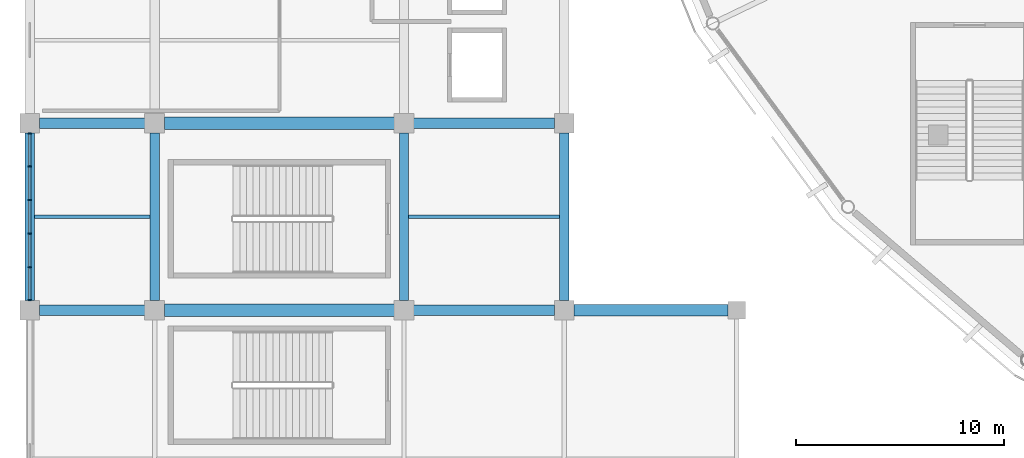
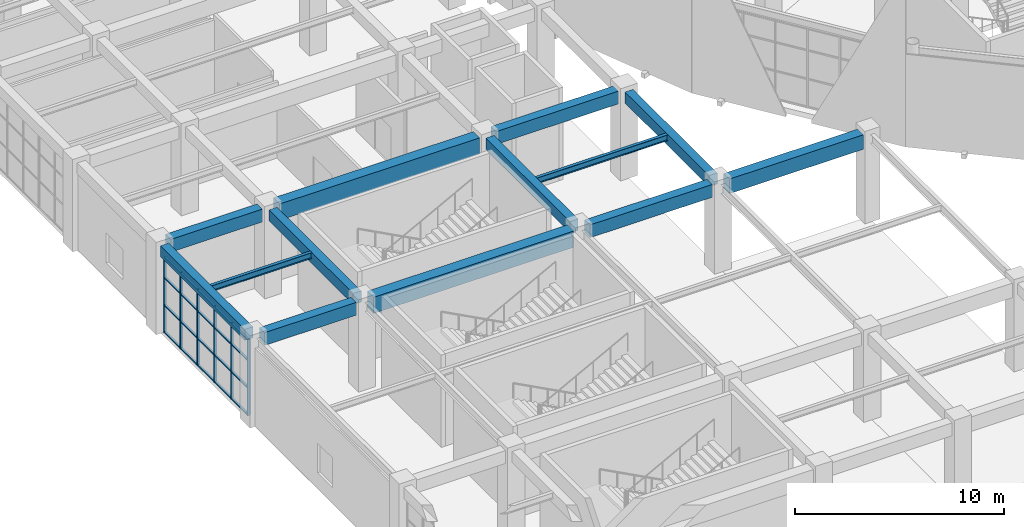
# One storey, part 17 of 120: 26 members, 13 beams, 1 element without a shape of its own.
"""IFC4 building model written with IfcOpenShell, lengths in metres."""

from ifc_helpers import new_model, si_unit, direction, frame, origin, origin_2d, place, context, subcontext, project, spatial, rectangle, i_section, extrude, material, material_profile, profile_set, type_object, element, aggregate, save


model = new_model("IFC4")

# Units and contexts
model_context = context("Model", 3, precision=1e-05, world=origin(), true_north=direction((0.0, 1.0)))
body_context = subcontext(model_context, "Body", "Model", "MODEL_VIEW")
ifc_project = project(units=[si_unit("LENGTHUNIT", "METRE"), si_unit("AREAUNIT", "SQUARE_METRE"), si_unit("VOLUMEUNIT", "CUBIC_METRE"), si_unit("PLANEANGLEUNIT", "RADIAN"), si_unit("MASSUNIT", "GRAM", prefix="KILO")], contexts=[model_context])

# Site, building, storey
site_placement = place(None, origin())
site = spatial("IfcSite", under=ifc_project, at=site_placement, CompositionType="ELEMENT")
building_placement = place(site_placement, origin())
building = spatial("IfcBuilding", under=site, at=building_placement, Name="Cuetzalor Civic Arena", CompositionType="ELEMENT")
storey_placement = place(building_placement, frame((0.0, 0.0, 6.0)))
storey = spatial("IfcBuildingStorey", under=building, at=storey_placement, Name="L01", CompositionType="ELEMENT", Elevation=6.0)

# Beams
ifc_material_1 = material(Name="Concrete C40/50", Category="concrete")
ifc_material_profile_1 = material_profile(ifc_material_1, rectangle(XDim=0.5, YDim=0.75, at=origin_2d()), Name="RC 500x750")
ifc_profile_set_1 = profile_set([ifc_material_profile_1], Name="Concrete C40/50")
beam_type_1 = type_object("IfcBeamType", Name="ConcreteFrameBeam_500x750", PredefinedType="BEAM", material=ifc_profile_set_1)
beam_1_placement = place(storey_placement, frame((-81.534912109375, -34.0, 4.7451171875), z_axis=(1.0, 0.0, 0.0), x_axis=(0.0, 1.0, 0.0)))
element("IfcBeam", 1, at=beam_1_placement, inside=storey, type_object=beam_type_1, Name="Frame Girder V4W-L01-X0353", PredefinedType="BEAM", context=body_context, shape_type="SweptSolid", body=[
    extrude(rectangle(XDim=0.5, YDim=0.75, at=origin_2d()), origin(), (0.0, 0.0, 1.0), 5.06982421875),
])
beam_2_placement = place(storey_placement, frame((-63.534912109375, -34.0, 4.7451171875), z_axis=(1.0, 0.0, 0.0), x_axis=(0.0, 1.0, 0.0)))
element("IfcBeam", 2, at=beam_2_placement, inside=storey, type_object=beam_type_1, Name="Frame Girder V4W-L01-X0355", PredefinedType="BEAM", context=body_context, shape_type="SweptSolid", body=[
    extrude(rectangle(XDim=0.5, YDim=0.75, at=origin_2d()), origin(), (0.0, 0.0, 1.0), 6.77001953125),
])
beam_3_placement = place(storey_placement, frame((-81.534912109375, -25.0, 4.7451171875), z_axis=(1.0, 0.0, 0.0), x_axis=(0.0, 1.0, 0.0)))
element("IfcBeam", 3, at=beam_3_placement, inside=storey, type_object=beam_type_1, Name="Frame Girder V4W-L01-X0357", PredefinedType="BEAM", context=body_context, shape_type="SweptSolid", body=[
    extrude(rectangle(XDim=0.5, YDim=0.75, at=origin_2d()), origin(), (0.0, 0.0, 1.0), 5.06982421875),
])
beam_4_placement = place(storey_placement, frame((-63.534912109375, -25.0, 4.7451171875), z_axis=(1.0, 0.0, 0.0), x_axis=(0.0, 1.0, 0.0)))
element("IfcBeam", 4, at=beam_4_placement, inside=storey, type_object=beam_type_1, Name="Frame Girder V4W-L01-X0359", PredefinedType="BEAM", context=body_context, shape_type="SweptSolid", body=[
    extrude(rectangle(XDim=0.5, YDim=0.75, at=origin_2d()), origin(), (0.0, 0.0, 1.0), 6.77001953125),
])
ifc_material_2 = material(Name="Concrete C40/50", Category="concrete")
ifc_material_profile_2 = material_profile(ifc_material_2, rectangle(XDim=0.550048828125, YDim=0.85009765625, at=origin_2d()), Name="RC 550x850")
ifc_profile_set_2 = profile_set([ifc_material_profile_2], Name="Concrete C40/50")
beam_type_2 = type_object("IfcBeamType", Name="ConcreteFrameBeam_550x850", PredefinedType="BEAM", material=ifc_profile_set_2)
beam_5_placement = place(storey_placement, frame((-55.8349609375, -34.0, 4.695068359375), z_axis=(1.0, 0.0, 0.0), x_axis=(0.0, 1.0, 0.0)))
element("IfcBeam", 5, at=beam_5_placement, inside=storey, type_object=beam_type_2, Name="Frame Girder V4W-L01-X0356", PredefinedType="BEAM", context=body_context, shape_type="SweptSolid", body=[
    extrude(rectangle(XDim=0.550048828125, YDim=0.85009765625, at=origin_2d()), origin(), (0.0, 0.0, 1.0), 7.419921875),
])
ifc_material_3 = material(Name="Concrete C40/50", Category="concrete")
ifc_material_profile_3 = material_profile(ifc_material_3, rectangle(XDim=0.60009765625, YDim=0.949951171875, at=origin_2d()), Name="RC 600x950")
ifc_profile_set_3 = profile_set([ifc_material_profile_3], Name="Concrete C40/50")
beam_type_3 = type_object("IfcBeamType", Name="ConcreteFrameBeam_600x950", PredefinedType="BEAM", material=ifc_profile_set_3)
for number, where, z_axis, x_axis, name in (
    (6, (-75.534912109375, -34.0, 4.64501953125), (1.0, 0.0, 0.0), (0.0, 1.0, 0.0), "Frame Girder V4W-L01-X0354"),
    (7, (-75.534912109375, -25.0, 4.64501953125), (1.0, 0.0, 0.0), (0.0, 1.0, 0.0), "Frame Girder V4W-L01-X0358"),
):
    element("IfcBeam", number, at=place(storey_placement, frame(where, z_axis=z_axis, x_axis=x_axis)), inside=storey, type_object=beam_type_3, Name=name, PredefinedType="BEAM", context=body_context, shape_type="SweptSolid", body=[
        extrude(rectangle(XDim=0.60009765625, YDim=0.949951171875, at=origin_2d()), origin(), (0.0, 0.0, 1.0), 11.06982421875),
    ])
ifc_material_4 = material(Name="Concrete C40/50", Category="concrete")
ifc_material_profile_4 = material_profile(ifc_material_4, rectangle(XDim=0.449951171875, YDim=0.64990234375, at=origin_2d()), Name="RC 450x650")
ifc_profile_set_4 = profile_set([ifc_material_profile_4], Name="Concrete C40/50")
beam_type_4 = type_object("IfcBeamType", Name="ConcreteTieBeam_450x650", PredefinedType="BEAM", material=ifc_profile_set_4)
for number, where, z_axis, x_axis, name in (
    (8, (-82.0, -33.534912109375, 4.794921875), (0.0, 1.0, 0.0), (-1.0, 0.0, 0.0), "Frame Girder V4W-L01-Y0383"),
    (9, (-76.0, -33.534912109375, 4.794921875), (0.0, 1.0, 0.0), (-1.0, 0.0, 0.0), "Frame Girder V4W-L01-Y0393"),
    (10, (-64.0, -33.534912109375, 4.794921875), (0.0, 1.0, 0.0), (-1.0, 0.0, 0.0), "Frame Girder V4W-L01-Y0403"),
    (11, (-56.300048828125, -33.534912109375, 4.794921875), (0.0, 1.0, 0.0), (-1.0, 0.0, 0.0), "Frame Girder V4W-L01-Y0413"),
):
    element("IfcBeam", number, at=place(storey_placement, frame(where, z_axis=z_axis, x_axis=x_axis)), inside=storey, type_object=beam_type_4, Name=name, PredefinedType="BEAM", context=body_context, shape_type="SweptSolid", body=[
        extrude(rectangle(XDim=0.449951171875, YDim=0.64990234375, at=origin_2d()), origin(), (0.0, 0.0, 1.0), 8.06982421875),
    ])

# Curtain wall, members
ifc_material_5 = material(Name="Anodised dark bronze aluminium and low-E solar glass", Category="aluminium")
curtain_wall_type = type_object("IfcCurtainWallType", Name="UnitisedCW_8100x4450", PredefinedType="USERDEFINED", material=ifc_material_5)
curtain_wall_placement = place(storey_placement, origin())
curtain_wall = element("IfcCurtainWall", 12, at=curtain_wall_placement, inside=storey, type_object=curtain_wall_type, Name="V4W Suite Viewing Curtain Wall L01-109", ObjectType="UNITISED CURTAIN WALL", PredefinedType="USERDEFINED")
ifc_material_6 = material(Name="Anodised dark bronze aluminium", Category="aluminium")
ifc_material_profile_5 = material_profile(ifc_material_6, rectangle(XDim=0.06494140625, YDim=0.14990234375, at=origin_2d()), Name="ALU MULLION 65x150")
ifc_profile_set_5 = profile_set([ifc_material_profile_5], Name="Anodised dark bronze aluminium")
member_type_1 = type_object("IfcMemberType", Name="CurtainWallMullion_60x150", PredefinedType="MULLION", material=ifc_profile_set_5)
member_1_placement = place(storey_placement, frame((-82.0, -33.510498046875, 0.0), z_axis=(0.0, 0.0, 1.0), x_axis=(0.0, 1.0, 0.0)))
member_1 = element("IfcMember", 13, at=member_1_placement, type_object=member_type_1, Name="CW-37 mullion 1", PredefinedType="MULLION", context=body_context, shape_type="SweptSolid", body=[
    extrude(rectangle(XDim=0.06494140625, YDim=0.14990234375, at=origin_2d()), origin(), (0.0, 0.0, 1.0), 4.4599609375),
])
member_2_placement = place(storey_placement, frame((-82.0, -31.92578125, 0.0), z_axis=(0.0, 0.0, 1.0), x_axis=(0.0, 1.0, 0.0)))
member_2 = element("IfcMember", 14, at=member_2_placement, type_object=member_type_1, Name="CW-37 mullion 2", PredefinedType="MULLION", context=body_context, shape_type="SweptSolid", body=[
    extrude(rectangle(XDim=0.06494140625, YDim=0.14990234375, at=origin_2d()), origin(), (0.0, 0.0, 1.0), 4.4599609375),
])
member_3_placement = place(storey_placement, frame((-82.0, -30.30859375, 0.0), z_axis=(0.0, 0.0, 1.0), x_axis=(0.0, 1.0, 0.0)))
member_3 = element("IfcMember", 15, at=member_3_placement, type_object=member_type_1, Name="CW-37 mullion 3", PredefinedType="MULLION", context=body_context, shape_type="SweptSolid", body=[
    extrude(rectangle(XDim=0.06494140625, YDim=0.14990234375, at=origin_2d()), origin(), (0.0, 0.0, 1.0), 4.4599609375),
])
member_4_placement = place(storey_placement, frame((-82.0, -28.69140625, 0.0), z_axis=(0.0, 0.0, 1.0), x_axis=(0.0, 1.0, 0.0)))
member_4 = element("IfcMember", 16, at=member_4_placement, type_object=member_type_1, Name="CW-37 mullion 4", PredefinedType="MULLION", context=body_context, shape_type="SweptSolid", body=[
    extrude(rectangle(XDim=0.06494140625, YDim=0.14990234375, at=origin_2d()), origin(), (0.0, 0.0, 1.0), 4.4599609375),
])
member_5_placement = place(storey_placement, frame((-82.0, -27.07421875, 0.0), z_axis=(0.0, 0.0, 1.0), x_axis=(0.0, 1.0, 0.0)))
member_5 = element("IfcMember", 17, at=member_5_placement, type_object=member_type_1, Name="CW-37 mullion 5", PredefinedType="MULLION", context=body_context, shape_type="SweptSolid", body=[
    extrude(rectangle(XDim=0.06494140625, YDim=0.14990234375, at=origin_2d()), origin(), (0.0, 0.0, 1.0), 4.4599609375),
])
member_6_placement = place(storey_placement, frame((-82.0, -25.489501953125, 0.0), z_axis=(0.0, 0.0, 1.0), x_axis=(0.0, 1.0, 0.0)))
member_6 = element("IfcMember", 18, at=member_6_placement, type_object=member_type_1, Name="CW-37 mullion 6", PredefinedType="MULLION", context=body_context, shape_type="SweptSolid", body=[
    extrude(rectangle(XDim=0.06494140625, YDim=0.14990234375, at=origin_2d()), origin(), (0.0, 0.0, 1.0), 4.4599609375),
])
ifc_material_7 = material(Name="Anodised dark bronze aluminium", Category="aluminium")
ifc_material_profile_6 = material_profile(ifc_material_7, rectangle(XDim=0.1201171875, YDim=0.06494140625, at=origin_2d()), Name="ALU TRANSOM 65x120")
ifc_profile_set_6 = profile_set([ifc_material_profile_6], Name="Anodised dark bronze aluminium")
member_type_2 = type_object("IfcMemberType", Name="CurtainWallTransom_60x120", PredefinedType="USERDEFINED", material=ifc_profile_set_6)
member_7_placement = place(storey_placement, frame((-82.0, -33.47802734375, 0.032470703125), z_axis=(0.0, 1.0, 0.0), x_axis=(-1.0, 0.0, 0.0)))
member_7 = element("IfcMember", 19, at=member_7_placement, type_object=member_type_2, Name="CW-37 transom 1.1", ObjectType="TRANSOM", PredefinedType="USERDEFINED", context=body_context, shape_type="SweptSolid", body=[
    extrude(rectangle(XDim=0.1201171875, YDim=0.06494140625, at=origin_2d()), origin(), (0.0, 0.0, 1.0), 1.519775390625),
])
member_8_placement = place(storey_placement, frame((-82.0, -33.47802734375, 1.60595703125), z_axis=(0.0, 1.0, 0.0), x_axis=(-1.0, 0.0, 0.0)))
member_8 = element("IfcMember", 20, at=member_8_placement, type_object=member_type_2, Name="CW-37 transom 1.2", ObjectType="TRANSOM", PredefinedType="USERDEFINED", context=body_context, shape_type="SweptSolid", body=[
    extrude(rectangle(XDim=0.1201171875, YDim=0.06494140625, at=origin_2d()), origin(), (0.0, 0.0, 1.0), 1.519775390625),
])
member_9_placement = place(storey_placement, frame((-82.0, -33.47802734375, 3.2109375), z_axis=(0.0, 1.0, 0.0), x_axis=(-1.0, 0.0, 0.0)))
member_9 = element("IfcMember", 21, at=member_9_placement, type_object=member_type_2, Name="CW-37 transom 1.3", ObjectType="TRANSOM", PredefinedType="USERDEFINED", context=body_context, shape_type="SweptSolid", body=[
    extrude(rectangle(XDim=0.1201171875, YDim=0.06494140625, at=origin_2d()), origin(), (0.0, 0.0, 1.0), 1.519775390625),
])
member_10_placement = place(storey_placement, frame((-82.0, -33.47802734375, 4.427490234375), z_axis=(0.0, 1.0, 0.0), x_axis=(-1.0, 0.0, 0.0)))
member_10 = element("IfcMember", 22, at=member_10_placement, type_object=member_type_2, Name="CW-37 transom 1.4", ObjectType="TRANSOM", PredefinedType="USERDEFINED", context=body_context, shape_type="SweptSolid", body=[
    extrude(rectangle(XDim=0.1201171875, YDim=0.06494140625, at=origin_2d()), origin(), (0.0, 0.0, 1.0), 1.519775390625),
])
member_11_placement = place(storey_placement, frame((-82.0, -31.893310546875, 0.032470703125), z_axis=(0.0, 1.0, 0.0), x_axis=(-1.0, 0.0, 0.0)))
member_11 = element("IfcMember", 23, at=member_11_placement, type_object=member_type_2, Name="CW-37 transom 2.1", ObjectType="TRANSOM", PredefinedType="USERDEFINED", context=body_context, shape_type="SweptSolid", body=[
    extrude(rectangle(XDim=0.1201171875, YDim=0.06494140625, at=origin_2d()), origin(), (0.0, 0.0, 1.0), 1.55224609375),
])
member_12_placement = place(storey_placement, frame((-82.0, -31.893310546875, 1.60595703125), z_axis=(0.0, 1.0, 0.0), x_axis=(-1.0, 0.0, 0.0)))
member_12 = element("IfcMember", 24, at=member_12_placement, type_object=member_type_2, Name="CW-37 transom 2.2", ObjectType="TRANSOM", PredefinedType="USERDEFINED", context=body_context, shape_type="SweptSolid", body=[
    extrude(rectangle(XDim=0.1201171875, YDim=0.06494140625, at=origin_2d()), origin(), (0.0, 0.0, 1.0), 1.55224609375),
])
member_13_placement = place(storey_placement, frame((-82.0, -31.893310546875, 3.2109375), z_axis=(0.0, 1.0, 0.0), x_axis=(-1.0, 0.0, 0.0)))
member_13 = element("IfcMember", 25, at=member_13_placement, type_object=member_type_2, Name="CW-37 transom 2.3", ObjectType="TRANSOM", PredefinedType="USERDEFINED", context=body_context, shape_type="SweptSolid", body=[
    extrude(rectangle(XDim=0.1201171875, YDim=0.06494140625, at=origin_2d()), origin(), (0.0, 0.0, 1.0), 1.55224609375),
])
member_14_placement = place(storey_placement, frame((-82.0, -31.893310546875, 4.427490234375), z_axis=(0.0, 1.0, 0.0), x_axis=(-1.0, 0.0, 0.0)))
member_14 = element("IfcMember", 26, at=member_14_placement, type_object=member_type_2, Name="CW-37 transom 2.4", ObjectType="TRANSOM", PredefinedType="USERDEFINED", context=body_context, shape_type="SweptSolid", body=[
    extrude(rectangle(XDim=0.1201171875, YDim=0.06494140625, at=origin_2d()), origin(), (0.0, 0.0, 1.0), 1.55224609375),
])
member_15_placement = place(storey_placement, frame((-82.0, -30.276123046875, 0.032470703125), z_axis=(0.0, 1.0, 0.0), x_axis=(-1.0, 0.0, 0.0)))
member_15 = element("IfcMember", 27, at=member_15_placement, type_object=member_type_2, Name="CW-37 transom 3.1", ObjectType="TRANSOM", PredefinedType="USERDEFINED", context=body_context, shape_type="SweptSolid", body=[
    extrude(rectangle(XDim=0.1201171875, YDim=0.06494140625, at=origin_2d()), origin(), (0.0, 0.0, 1.0), 1.55224609375),
])
member_16_placement = place(storey_placement, frame((-82.0, -30.276123046875, 1.60595703125), z_axis=(0.0, 1.0, 0.0), x_axis=(-1.0, 0.0, 0.0)))
member_16 = element("IfcMember", 28, at=member_16_placement, type_object=member_type_2, Name="CW-37 transom 3.2", ObjectType="TRANSOM", PredefinedType="USERDEFINED", context=body_context, shape_type="SweptSolid", body=[
    extrude(rectangle(XDim=0.1201171875, YDim=0.06494140625, at=origin_2d()), origin(), (0.0, 0.0, 1.0), 1.55224609375),
])
member_17_placement = place(storey_placement, frame((-82.0, -30.276123046875, 3.2109375), z_axis=(0.0, 1.0, 0.0), x_axis=(-1.0, 0.0, 0.0)))
member_17 = element("IfcMember", 29, at=member_17_placement, type_object=member_type_2, Name="CW-37 transom 3.3", ObjectType="TRANSOM", PredefinedType="USERDEFINED", context=body_context, shape_type="SweptSolid", body=[
    extrude(rectangle(XDim=0.1201171875, YDim=0.06494140625, at=origin_2d()), origin(), (0.0, 0.0, 1.0), 1.55224609375),
])
member_18_placement = place(storey_placement, frame((-82.0, -30.276123046875, 4.427490234375), z_axis=(0.0, 1.0, 0.0), x_axis=(-1.0, 0.0, 0.0)))
member_18 = element("IfcMember", 30, at=member_18_placement, type_object=member_type_2, Name="CW-37 transom 3.4", ObjectType="TRANSOM", PredefinedType="USERDEFINED", context=body_context, shape_type="SweptSolid", body=[
    extrude(rectangle(XDim=0.1201171875, YDim=0.06494140625, at=origin_2d()), origin(), (0.0, 0.0, 1.0), 1.55224609375),
])
member_19_placement = place(storey_placement, frame((-82.0, -28.658935546875, 0.032470703125), z_axis=(0.0, 1.0, 0.0), x_axis=(-1.0, 0.0, 0.0)))
member_19 = element("IfcMember", 31, at=member_19_placement, type_object=member_type_2, Name="CW-37 transom 4.1", ObjectType="TRANSOM", PredefinedType="USERDEFINED", context=body_context, shape_type="SweptSolid", body=[
    extrude(rectangle(XDim=0.1201171875, YDim=0.06494140625, at=origin_2d()), origin(), (0.0, 0.0, 1.0), 1.55224609375),
])
member_20_placement = place(storey_placement, frame((-82.0, -28.658935546875, 1.60595703125), z_axis=(0.0, 1.0, 0.0), x_axis=(-1.0, 0.0, 0.0)))
member_20 = element("IfcMember", 32, at=member_20_placement, type_object=member_type_2, Name="CW-37 transom 4.2", ObjectType="TRANSOM", PredefinedType="USERDEFINED", context=body_context, shape_type="SweptSolid", body=[
    extrude(rectangle(XDim=0.1201171875, YDim=0.06494140625, at=origin_2d()), origin(), (0.0, 0.0, 1.0), 1.55224609375),
])
member_21_placement = place(storey_placement, frame((-82.0, -28.658935546875, 3.2109375), z_axis=(0.0, 1.0, 0.0), x_axis=(-1.0, 0.0, 0.0)))
member_21 = element("IfcMember", 33, at=member_21_placement, type_object=member_type_2, Name="CW-37 transom 4.3", ObjectType="TRANSOM", PredefinedType="USERDEFINED", context=body_context, shape_type="SweptSolid", body=[
    extrude(rectangle(XDim=0.1201171875, YDim=0.06494140625, at=origin_2d()), origin(), (0.0, 0.0, 1.0), 1.55224609375),
])
member_22_placement = place(storey_placement, frame((-82.0, -28.658935546875, 4.427490234375), z_axis=(0.0, 1.0, 0.0), x_axis=(-1.0, 0.0, 0.0)))
member_22 = element("IfcMember", 34, at=member_22_placement, type_object=member_type_2, Name="CW-37 transom 4.4", ObjectType="TRANSOM", PredefinedType="USERDEFINED", context=body_context, shape_type="SweptSolid", body=[
    extrude(rectangle(XDim=0.1201171875, YDim=0.06494140625, at=origin_2d()), origin(), (0.0, 0.0, 1.0), 1.55224609375),
])
member_23_placement = place(storey_placement, frame((-82.0, -27.041748046875, 0.032470703125), z_axis=(0.0, 1.0, 0.0), x_axis=(-1.0, 0.0, 0.0)))
member_23 = element("IfcMember", 35, at=member_23_placement, type_object=member_type_2, Name="CW-37 transom 5.1", ObjectType="TRANSOM", PredefinedType="USERDEFINED", context=body_context, shape_type="SweptSolid", body=[
    extrude(rectangle(XDim=0.1201171875, YDim=0.06494140625, at=origin_2d()), origin(), (0.0, 0.0, 1.0), 1.519775390625),
])
member_24_placement = place(storey_placement, frame((-82.0, -27.041748046875, 1.60595703125), z_axis=(0.0, 1.0, 0.0), x_axis=(-1.0, 0.0, 0.0)))
member_24 = element("IfcMember", 36, at=member_24_placement, type_object=member_type_2, Name="CW-37 transom 5.2", ObjectType="TRANSOM", PredefinedType="USERDEFINED", context=body_context, shape_type="SweptSolid", body=[
    extrude(rectangle(XDim=0.1201171875, YDim=0.06494140625, at=origin_2d()), origin(), (0.0, 0.0, 1.0), 1.519775390625),
])
member_25_placement = place(storey_placement, frame((-82.0, -27.041748046875, 3.2109375), z_axis=(0.0, 1.0, 0.0), x_axis=(-1.0, 0.0, 0.0)))
member_25 = element("IfcMember", 37, at=member_25_placement, type_object=member_type_2, Name="CW-37 transom 5.3", ObjectType="TRANSOM", PredefinedType="USERDEFINED", context=body_context, shape_type="SweptSolid", body=[
    extrude(rectangle(XDim=0.1201171875, YDim=0.06494140625, at=origin_2d()), origin(), (0.0, 0.0, 1.0), 1.519775390625),
])
member_26_placement = place(storey_placement, frame((-82.0, -27.041748046875, 4.427490234375), z_axis=(0.0, 1.0, 0.0), x_axis=(-1.0, 0.0, 0.0)))
member_26 = element("IfcMember", 38, at=member_26_placement, type_object=member_type_2, Name="CW-37 transom 5.4", ObjectType="TRANSOM", PredefinedType="USERDEFINED", context=body_context, shape_type="SweptSolid", body=[
    extrude(rectangle(XDim=0.1201171875, YDim=0.06494140625, at=origin_2d()), origin(), (0.0, 0.0, 1.0), 1.519775390625),
])
aggregate(curtain_wall, [member_1, member_2, member_3, member_4, member_5, member_6, member_7, member_8, member_9, member_10, member_11, member_12, member_13, member_14, member_15, member_16, member_17, member_18, member_19, member_20, member_21, member_22, member_23, member_24, member_25, member_26])

# Beams
ifc_material_8 = material(Name="Steel S355", Category="steel")
ifc_material_profile_7 = material_profile(ifc_material_8, i_section(OverallWidth=0.1708984375, OverallDepth=0.35498046875, WebThickness=0.007080078125, FlangeThickness=0.01171875, at=origin_2d()), Name="W360x51")
ifc_profile_set_7 = profile_set([ifc_material_profile_7], Name="Steel S355")
beam_type_5 = type_object("IfcBeamType", Name="SecondaryFloorJoist_W360", PredefinedType="JOIST", material=ifc_profile_set_7)
beam_6_placement = place(storey_placement, frame((-81.782958984375, -29.5, 4.9423828125), z_axis=(1.0, 0.0, 0.0), x_axis=(0.0, 1.0, 0.0)))
element("IfcBeam", 39, at=beam_6_placement, inside=storey, type_object=beam_type_5, Name="Secondary Floor Joist V4W-L01-0107", PredefinedType="JOIST", context=body_context, shape_type="SweptSolid", body=[
    extrude(i_section(OverallWidth=0.1708984375, OverallDepth=0.35498046875, WebThickness=0.007080078125, FlangeThickness=0.01171875, at=origin_2d()), origin(), (0.0, 0.0, 1.0), 5.56591796875),
])
beam_7_placement = place(storey_placement, frame((-63.782958984375, -29.5, 4.9423828125), z_axis=(1.0, 0.0, 0.0), x_axis=(0.0, 1.0, 0.0)))
element("IfcBeam", 40, at=beam_7_placement, inside=storey, type_object=beam_type_5, Name="Secondary Floor Joist V4W-L01-0124", PredefinedType="JOIST", context=body_context, shape_type="SweptSolid", body=[
    extrude(i_section(OverallWidth=0.1708984375, OverallDepth=0.35498046875, WebThickness=0.007080078125, FlangeThickness=0.01171875, at=origin_2d()), origin(), (0.0, 0.0, 1.0), 7.265869140625),
])

save(model, "model.ifc")
